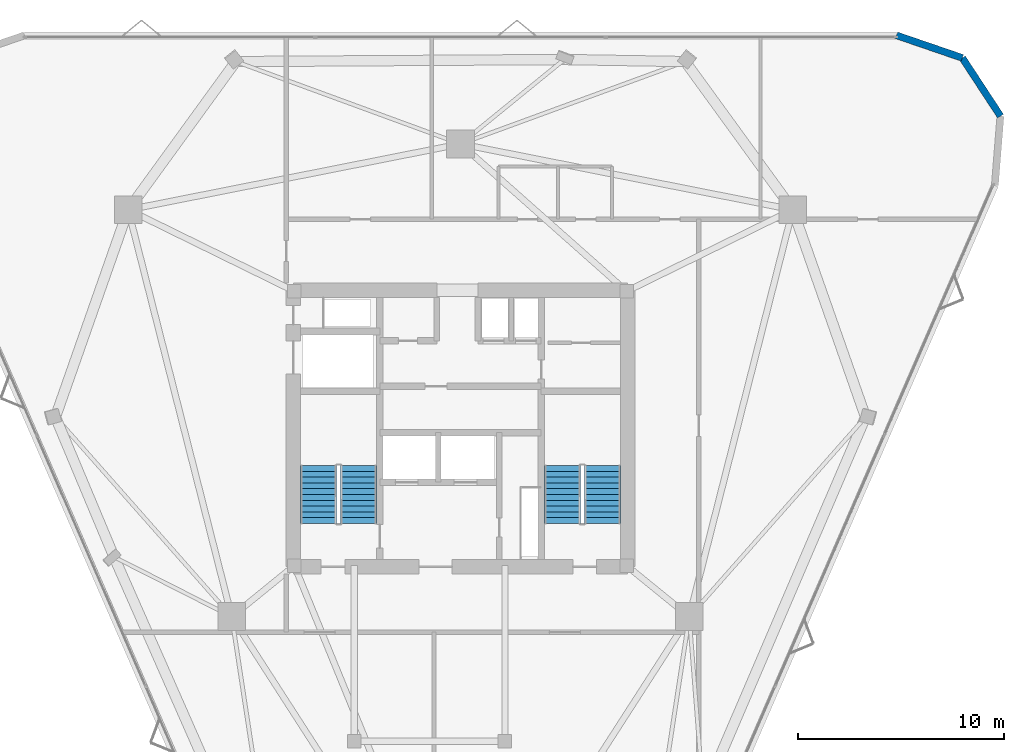
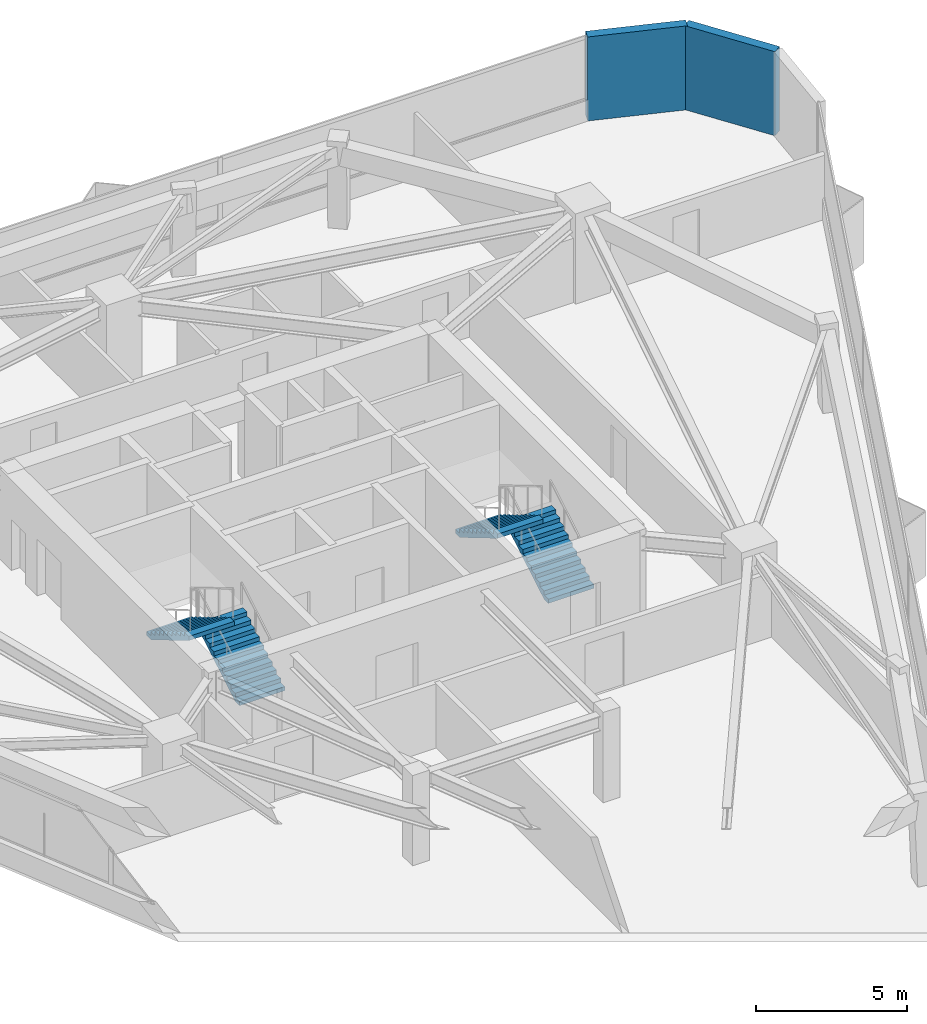
# One storey, part 11 of 12: 4 stair flights, 2 walls, 2 elements without a shape of their own.
"""IFC4 building model written with IfcOpenShell, lengths in metres."""

from ifc_helpers import new_model, si_unit, direction, frame, frame_2d, origin, place, context, subcontext, project, spatial, polyline, rectangle, outline, extrude, material, layer, layer_set, type_object, element, aggregate, save


model = new_model("IFC4")

# Units and contexts
model_context = context("Model", 3, precision=1e-05, world=origin(), true_north=direction((0.0, 1.0)))
body_context = subcontext(model_context, "Body", "Model", "MODEL_VIEW")
ifc_project = project(units=[si_unit("LENGTHUNIT", "METRE"), si_unit("AREAUNIT", "SQUARE_METRE"), si_unit("VOLUMEUNIT", "CUBIC_METRE"), si_unit("PLANEANGLEUNIT", "RADIAN"), si_unit("MASSUNIT", "GRAM", prefix="KILO")], contexts=[model_context])

# Site, building, storey
site_placement = place(None, origin())
site = spatial("IfcSite", under=ifc_project, at=site_placement, CompositionType="ELEMENT")
building_placement = place(site_placement, origin())
building = spatial("IfcBuilding", under=site, at=building_placement, Name="Talyreon Biosciences Tower", CompositionType="ELEMENT")
storey_placement = place(building_placement, frame((0.0, 0.0, 194.0)))
storey = spatial("IfcBuildingStorey", under=building, at=storey_placement, Name="L51", CompositionType="ELEMENT", Elevation=194.0)

# Walls
ifc_material_1 = material(Name="Precast concrete C45/55", Category="concrete")
ifc_layer = layer(ifc_material_1, 0.340087890625)
ifc_layer_set = layer_set([ifc_layer], Name="Precast concrete C45/55")
wall_type = type_object("IfcWallType", Name="PrecastConcreteSpandrelWall_340", PredefinedType="STANDARD", material=ifc_layer_set)
wall_1_placement = place(storey_placement, frame((87.130859375, 87.052001953125, 0.0), z_axis=(0.0, 0.0, 1.0), x_axis=(0.945992271602, -0.32418917636, 0.0)))
element("IfcWall", 1, at=wall_1_placement, inside=storey, type_object=wall_type, Name="L51 Rounded-Corner Concrete Pier 05", PredefinedType="STANDARD", context=body_context, shape_type="SweptSolid", body=[
    extrude(rectangle(XDim=3.37158203125, YDim=0.340087890625, at=frame_2d((1.685791015625, 0.0))), origin(), (0.0, 0.0, 1.0), 3.39990234375),
])
wall_2_placement = place(storey_placement, frame((90.3203125, 85.958984375, 0.0), z_axis=(0.0, 0.0, 1.0), x_axis=(0.548234112363, -0.836324911767, 0.0)))
element("IfcWall", 2, at=wall_2_placement, inside=storey, type_object=wall_type, Name="L51 Rounded-Corner Concrete Pier 06", PredefinedType="STANDARD", context=body_context, shape_type="SweptSolid", body=[
    extrude(rectangle(XDim=3.3720703125, YDim=0.340087890625, at=frame_2d((1.68603515625, 0.0))), origin(), (0.0, 0.0, 1.0), 3.39990234375),
])

# Stair, stair flights
ifc_material_2 = material(Name="Concrete C40/50", Category="concrete")
stair_type = type_object("IfcStairType", Name="DoglegEscapeStair_3650", PredefinedType="HALF_TURN_STAIR", material=ifc_material_2)
stair_1_placement = place(storey_placement, origin())
stair_1 = element("IfcStair", 3, at=stair_1_placement, inside=storey, type_object=stair_type, Name="L51 Core Escape Stair 1", PredefinedType="HALF_TURN_STAIR")
stair_flight_type = type_object("IfcStairFlightType", Name="PrecastStairFlight_3650", PredefinedType="STRAIGHT", material=ifc_material_2)
stair_flight_1_placement = place(storey_placement, frame((61.06005859375, 63.39990234375, 0.0), z_axis=(0.0, 0.0, 1.0), x_axis=(0.0, 1.0, 0.0)))
stair_flight_1 = element("IfcStairFlight", 4, at=stair_flight_1_placement, type_object=stair_flight_type, Name="ST-1 flight 1", NumberOfRisers=11, NumberOfTreads=10, PredefinedType="STRAIGHT", RiserHeight=0.165909091, TreadLength=0.28, context=body_context, shape_type="SweptSolid", body=[
    extrude(outline(polyline([(0.0, 0.0), (0.0, 0.166015625), (0.280029296875, 0.166015625), (0.280029296875, 0.331787109375), (0.56005859375, 0.331787109375), (0.56005859375, 0.497802734375), (0.840087890625, 0.497802734375), (0.840087890625, 0.66357421875), (1.1201171875, 0.66357421875), (1.1201171875, 0.82958984375), (1.39990234375, 0.82958984375), (1.39990234375, 0.995361328125), (1.679931640625, 0.995361328125), (1.679931640625, 1.161376953125), (1.9599609375, 1.161376953125), (1.9599609375, 1.327392578125), (2.239990234375, 1.327392578125), (2.239990234375, 1.4931640625), (2.52001953125, 1.4931640625), (2.52001953125, 1.6591796875), (2.800048828125, 1.6591796875), (2.800048828125, 1.824951171875), (2.800048828125, 1.48486328125), (0.2939453125, 0.0), (0.0, 0.0)])), frame((0.0, 0.8701171875, 0.0), z_axis=(0.0, -1.0, 0.0), x_axis=(1.0, 0.0, 0.0)), (0.0, 0.0, 1.0), 1.739990234375),
])
stair_flight_2_placement = place(storey_placement, frame((59.1201171875, 66.199951171875, 1.824951171875), z_axis=(0.0, 0.0, 1.0), x_axis=(0.0, -1.0, 0.0)))
stair_flight_2 = element("IfcStairFlight", 5, at=stair_flight_2_placement, type_object=stair_flight_type, Name="ST-1 flight 2", NumberOfRisers=11, NumberOfTreads=10, PredefinedType="STRAIGHT", RiserHeight=0.165909091, TreadLength=0.28, context=body_context, shape_type="SweptSolid", body=[
    extrude(outline(polyline([(0.0, 0.0), (0.0, 0.166015625), (0.280029296875, 0.166015625), (0.280029296875, 0.331787109375), (0.56005859375, 0.331787109375), (0.56005859375, 0.497802734375), (0.840087890625, 0.497802734375), (0.840087890625, 0.66357421875), (1.1201171875, 0.66357421875), (1.1201171875, 0.82958984375), (1.39990234375, 0.82958984375), (1.39990234375, 0.995361328125), (1.679931640625, 0.995361328125), (1.679931640625, 1.161376953125), (1.9599609375, 1.161376953125), (1.9599609375, 1.327392578125), (2.239990234375, 1.327392578125), (2.239990234375, 1.4931640625), (2.52001953125, 1.4931640625), (2.52001953125, 1.6591796875), (2.800048828125, 1.6591796875), (2.800048828125, 1.824951171875), (2.800048828125, 1.48486328125), (0.2939453125, 0.0), (0.0, 0.0)])), frame((0.0, 0.8701171875, 0.0), z_axis=(0.0, -1.0, 0.0), x_axis=(1.0, 0.0, 0.0)), (0.0, 0.0, 1.0), 1.739990234375),
])
aggregate(stair_1, [stair_flight_1, stair_flight_2])

stair_2_placement = place(storey_placement, origin())
stair_2 = element("IfcStair", 6, at=stair_2_placement, inside=storey, type_object=stair_type, Name="L51 Core Escape Stair 2", PredefinedType="HALF_TURN_STAIR")
stair_flight_3_placement = place(storey_placement, frame((72.8798828125, 63.39990234375, 0.0), z_axis=(0.0, 0.0, 1.0), x_axis=(0.0, 1.0, 0.0)))
stair_flight_3 = element("IfcStairFlight", 7, at=stair_flight_3_placement, type_object=stair_flight_type, Name="ST-2 flight 1", NumberOfRisers=11, NumberOfTreads=10, PredefinedType="STRAIGHT", RiserHeight=0.165909091, TreadLength=0.28, context=body_context, shape_type="SweptSolid", body=[
    extrude(outline(polyline([(0.0, 0.0), (0.0, 0.166015625), (0.280029296875, 0.166015625), (0.280029296875, 0.331787109375), (0.56005859375, 0.331787109375), (0.56005859375, 0.497802734375), (0.840087890625, 0.497802734375), (0.840087890625, 0.66357421875), (1.1201171875, 0.66357421875), (1.1201171875, 0.82958984375), (1.39990234375, 0.82958984375), (1.39990234375, 0.995361328125), (1.679931640625, 0.995361328125), (1.679931640625, 1.161376953125), (1.9599609375, 1.161376953125), (1.9599609375, 1.327392578125), (2.239990234375, 1.327392578125), (2.239990234375, 1.4931640625), (2.52001953125, 1.4931640625), (2.52001953125, 1.6591796875), (2.800048828125, 1.6591796875), (2.800048828125, 1.824951171875), (2.800048828125, 1.48486328125), (0.2939453125, 0.0), (0.0, 0.0)])), frame((0.0, 0.8701171875, 0.0), z_axis=(0.0, -1.0, 0.0), x_axis=(1.0, 0.0, 0.0)), (0.0, 0.0, 1.0), 1.739990234375),
])
stair_flight_4_placement = place(storey_placement, frame((70.93994140625, 66.199951171875, 1.824951171875), z_axis=(0.0, 0.0, 1.0), x_axis=(0.0, -1.0, 0.0)))
stair_flight_4 = element("IfcStairFlight", 8, at=stair_flight_4_placement, type_object=stair_flight_type, Name="ST-2 flight 2", NumberOfRisers=11, NumberOfTreads=10, PredefinedType="STRAIGHT", RiserHeight=0.165909091, TreadLength=0.28, context=body_context, shape_type="SweptSolid", body=[
    extrude(outline(polyline([(0.0, 0.0), (0.0, 0.166015625), (0.280029296875, 0.166015625), (0.280029296875, 0.331787109375), (0.56005859375, 0.331787109375), (0.56005859375, 0.497802734375), (0.840087890625, 0.497802734375), (0.840087890625, 0.66357421875), (1.1201171875, 0.66357421875), (1.1201171875, 0.82958984375), (1.39990234375, 0.82958984375), (1.39990234375, 0.995361328125), (1.679931640625, 0.995361328125), (1.679931640625, 1.161376953125), (1.9599609375, 1.161376953125), (1.9599609375, 1.327392578125), (2.239990234375, 1.327392578125), (2.239990234375, 1.4931640625), (2.52001953125, 1.4931640625), (2.52001953125, 1.6591796875), (2.800048828125, 1.6591796875), (2.800048828125, 1.824951171875), (2.800048828125, 1.48486328125), (0.2939453125, 0.0), (0.0, 0.0)])), frame((0.0, 0.8701171875, 0.0), z_axis=(0.0, -1.0, 0.0), x_axis=(1.0, 0.0, 0.0)), (0.0, 0.0, 1.0), 1.739990234375),
])
aggregate(stair_2, [stair_flight_3, stair_flight_4])

save(model, "model.ifc")
